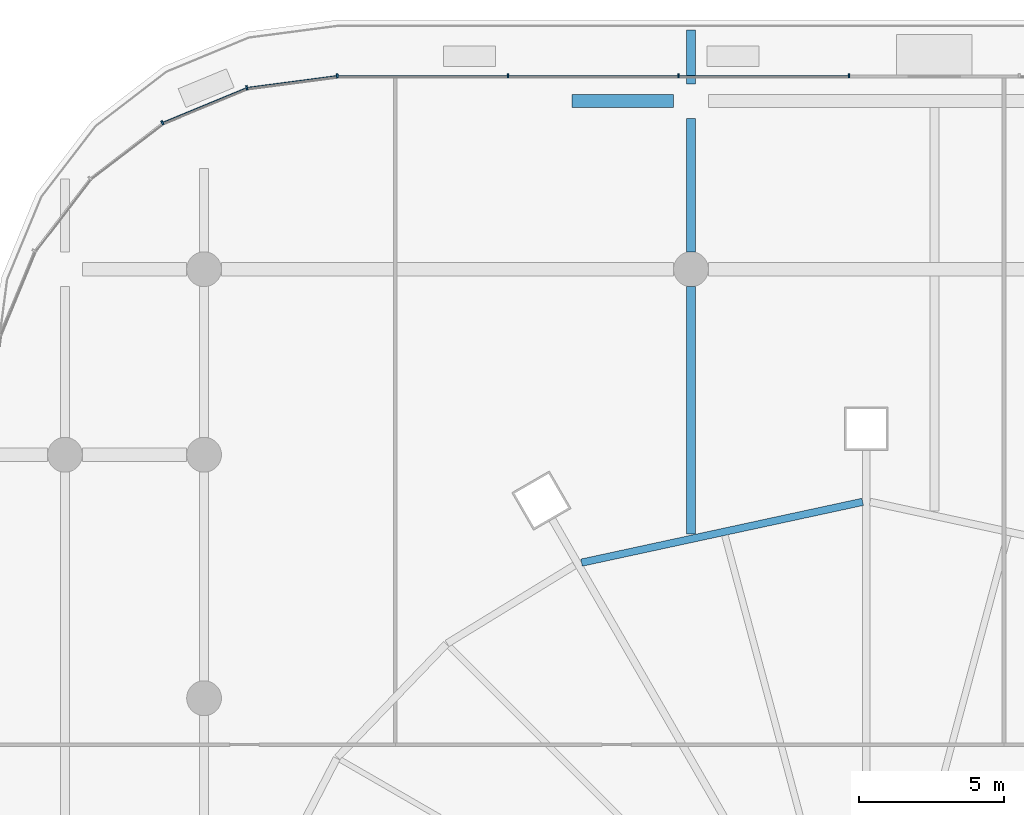
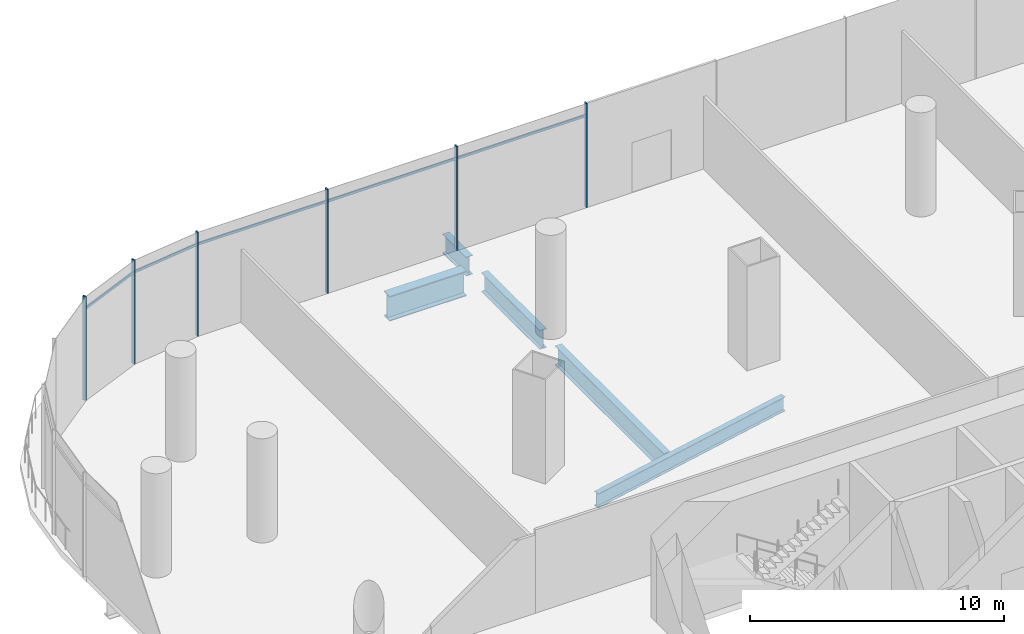
# One storey, part 23 of 51: 11 members, 5 beams, 1 element without a shape of its own.
"""IFC4 building model written with IfcOpenShell, lengths in metres."""

from ifc_helpers import new_model, si_unit, direction, frame, origin, origin_2d, place, context, subcontext, project, spatial, rectangle, i_section, extrude, material, material_profile, profile_set, type_object, element, aggregate, save


model = new_model("IFC4")

# Units and contexts
model_context = context("Model", 3, precision=1e-05, world=origin(), true_north=direction((0.0, 1.0)))
body_context = subcontext(model_context, "Body", "Model", "MODEL_VIEW")
ifc_project = project(units=[si_unit("LENGTHUNIT", "METRE"), si_unit("AREAUNIT", "SQUARE_METRE"), si_unit("VOLUMEUNIT", "CUBIC_METRE"), si_unit("PLANEANGLEUNIT", "RADIAN"), si_unit("MASSUNIT", "GRAM", prefix="KILO")], contexts=[model_context])

# Site, building, storey
site_placement = place(None, origin())
site = spatial("IfcSite", under=ifc_project, at=site_placement, CompositionType="ELEMENT")
building_placement = place(site_placement, origin())
building = spatial("IfcBuilding", under=site, at=building_placement, Name="Rimbun Link Towers", CompositionType="ELEMENT")
storey_placement = place(building_placement, frame((0.0, 0.0, 7.0)))
storey = spatial("IfcBuildingStorey", under=building, at=storey_placement, Name="L01", CompositionType="ELEMENT", Elevation=7.0)

# Curtain wall, members
ifc_material_1 = material(Name="Aluminium 6063-T6 and low-iron glass", Category="aluminium")
curtain_wall_type = type_object("IfcCurtainWallType", Name="CW3 podium shopfront", PredefinedType="NOTDEFINED", material=ifc_material_1)
curtain_wall_placement = place(storey_placement, origin())
curtain_wall = element("IfcCurtainWall", 1, at=curtain_wall_placement, inside=storey, type_object=curtain_wall_type, Name="CW3 L01 PD", PredefinedType="NOTDEFINED")
ifc_material_2 = material(Name="Aluminium 6063-T6", Category="aluminium")
ifc_material_profile_1 = material_profile(ifc_material_2, rectangle(XDim=0.14990234375, YDim=0.06005859375, at=origin_2d()), Name="MULLION 60X150")
ifc_profile_set_1 = profile_set([ifc_material_profile_1], Name="Aluminium 6063-T6")
member_type_1 = type_object("IfcMemberType", Name="CW3 mullion 60X150", PredefinedType="MULLION", material=ifc_profile_set_1)
member_1_placement = place(storey_placement, frame((-32.35302734375, 34.074951171875, 0.0), z_axis=(0.0, 0.0, 1.0), x_axis=(0.0, 1.0, 0.0)))
member_1 = element("IfcMember", 2, at=member_1_placement, type_object=member_type_1, Name="CW3 mullion", PredefinedType="MULLION", context=body_context, shape_type="SweptSolid", body=[
    extrude(rectangle(XDim=0.14990234375, YDim=0.06005859375, at=origin_2d()), origin(), (0.0, 0.0, 1.0), 5.0),
])
member_2_placement = place(storey_placement, frame((-38.2353515625, 34.074951171875, 0.0), z_axis=(0.0, 0.0, 1.0), x_axis=(0.0, 1.0, 0.0)))
member_2 = element("IfcMember", 3, at=member_2_placement, type_object=member_type_1, Name="CW3 mullion", PredefinedType="MULLION", context=body_context, shape_type="SweptSolid", body=[
    extrude(rectangle(XDim=0.14990234375, YDim=0.06005859375, at=origin_2d()), origin(), (0.0, 0.0, 1.0), 5.0),
])
member_3_placement = place(storey_placement, frame((-44.11767578125, 34.074951171875, 0.0), z_axis=(0.0, 0.0, 1.0), x_axis=(0.0, 1.0, 0.0)))
member_3 = element("IfcMember", 4, at=member_3_placement, type_object=member_type_1, Name="CW3 mullion", PredefinedType="MULLION", context=body_context, shape_type="SweptSolid", body=[
    extrude(rectangle(XDim=0.14990234375, YDim=0.06005859375, at=origin_2d()), origin(), (0.0, 0.0, 1.0), 5.0),
])
member_4_placement = place(storey_placement, frame((-50.0048828125, 34.074951171875, 0.0), z_axis=(0.0, 0.0, 1.0), x_axis=(-0.065405288299, 0.997858781723, 0.0)))
member_4 = element("IfcMember", 5, at=member_4_placement, type_object=member_type_1, Name="CW3 mullion", PredefinedType="MULLION", context=body_context, shape_type="SweptSolid", body=[
    extrude(rectangle(XDim=0.14990234375, YDim=0.06005859375, at=origin_2d()), origin(), (0.0, 0.0, 1.0), 5.0),
])
member_5_placement = place(storey_placement, frame((-53.125244140625, 33.66357421875, 0.0), z_axis=(0.0, 0.0, 1.0), x_axis=(-0.258818729038, 0.965925910978, 0.0)))
member_5 = element("IfcMember", 6, at=member_5_placement, type_object=member_type_1, Name="CW3 mullion", PredefinedType="MULLION", context=body_context, shape_type="SweptSolid", body=[
    extrude(rectangle(XDim=0.14990234375, YDim=0.06005859375, at=origin_2d()), origin(), (0.0, 0.0, 1.0), 5.0),
])
member_6_placement = place(storey_placement, frame((-56.03759765625, 32.457275390625, 0.0), z_axis=(0.0, 0.0, 1.0), x_axis=(-0.499993701568, 0.866029040155, 0.0)))
member_6 = element("IfcMember", 7, at=member_6_placement, type_object=member_type_1, Name="CW3 mullion", PredefinedType="MULLION", context=body_context, shape_type="SweptSolid", body=[
    extrude(rectangle(XDim=0.14990234375, YDim=0.06005859375, at=origin_2d()), origin(), (0.0, 0.0, 1.0), 5.0),
])
ifc_material_3 = material(Name="Aluminium 6063-T6", Category="aluminium")
ifc_material_profile_2 = material_profile(ifc_material_3, rectangle(XDim=0.06005859375, YDim=0.1201171875, at=origin_2d()), Name="TRANSOM 60X120")
ifc_profile_set_2 = profile_set([ifc_material_profile_2], Name="Aluminium 6063-T6")
member_type_2 = type_object("IfcMemberType", Name="CW3 transom 60X120", PredefinedType="USERDEFINED", material=ifc_profile_set_2)
member_7_placement = place(storey_placement, frame((-38.205322265625, 34.053955078125, 4.39990234375), z_axis=(1.0, 0.0, 0.0), x_axis=(0.0, 1.0, 0.0)))
member_7 = element("IfcMember", 8, at=member_7_placement, type_object=member_type_2, Name="CW3 transom", ObjectType="TRANSOM", PredefinedType="USERDEFINED", context=body_context, shape_type="SweptSolid", body=[
    extrude(rectangle(XDim=0.06005859375, YDim=0.1201171875, at=origin_2d()), origin(), (0.0, 0.0, 1.0), 5.822265625),
])
member_8_placement = place(storey_placement, frame((-44.087646484375, 34.053955078125, 4.39990234375), z_axis=(1.0, 0.0, 0.0), x_axis=(0.0, 1.0, 0.0)))
member_8 = element("IfcMember", 9, at=member_8_placement, type_object=member_type_2, Name="CW3 transom", ObjectType="TRANSOM", PredefinedType="USERDEFINED", context=body_context, shape_type="SweptSolid", body=[
    extrude(rectangle(XDim=0.06005859375, YDim=0.1201171875, at=origin_2d()), origin(), (0.0, 0.0, 1.0), 5.822265625),
])
member_9_placement = place(storey_placement, frame((-49.969970703125, 34.053955078125, 4.39990234375), z_axis=(1.0, 0.0, 0.0), x_axis=(0.0, 1.0, 0.0)))
member_9 = element("IfcMember", 10, at=member_9_placement, type_object=member_type_2, Name="CW3 transom", ObjectType="TRANSOM", PredefinedType="USERDEFINED", context=body_context, shape_type="SweptSolid", body=[
    extrude(rectangle(XDim=0.06005859375, YDim=0.1201171875, at=origin_2d()), origin(), (0.0, 0.0, 1.0), 5.822265625),
])
member_10_placement = place(storey_placement, frame((-53.0830078125, 33.6484375, 4.39990234375), z_axis=(0.991441037829, 0.130555231638, 0.0), x_axis=(-0.130555231638, 0.991441037829, 0.0)))
member_10 = element("IfcMember", 11, at=member_10_placement, type_object=member_type_2, Name="CW3 transom", ObjectType="TRANSOM", PredefinedType="USERDEFINED", context=body_context, shape_type="SweptSolid", body=[
    extrude(rectangle(XDim=0.06005859375, YDim=0.1201171875, at=origin_2d()), origin(), (0.0, 0.0, 1.0), 3.072509765625),
])
member_11_placement = place(storey_placement, frame((-55.992919921875, 32.45361328125, 4.39990234375), z_axis=(0.923881248716, 0.382679289053, 0.0), x_axis=(-0.382679289053, 0.923881248716, 0.0)))
member_11 = element("IfcMember", 12, at=member_11_placement, type_object=member_type_2, Name="CW3 transom", ObjectType="TRANSOM", PredefinedType="USERDEFINED", context=body_context, shape_type="SweptSolid", body=[
    extrude(rectangle(XDim=0.06005859375, YDim=0.1201171875, at=origin_2d()), origin(), (0.0, 0.0, 1.0), 3.072509765625),
])
aggregate(curtain_wall, [member_1, member_2, member_3, member_4, member_5, member_6, member_7, member_8, member_9, member_10, member_11])

# Beams
ifc_material_4 = material(Name="Steel S355J2", Category="steel")
ifc_material_profile_3 = material_profile(ifc_material_4, i_section(OverallWidth=0.449951171875, OverallDepth=1.199951171875, WebThickness=0.030029296875, FlangeThickness=0.044921875, at=origin_2d()), Name="PG 1200x450x30/45")
ifc_profile_set_3 = profile_set([ifc_material_profile_3], Name="Steel S355J2")
beam_type_1 = type_object("IfcBeamType", Name="PG 1200x450x30/45", PredefinedType="BEAM", material=ifc_profile_set_3)
beam_1_placement = place(storey_placement, frame((-41.89990234375, 33.199951171875, -0.89990234375), z_axis=(1.0, 0.0, 0.0), x_axis=(0.0, 1.0, 0.0)))
element("IfcBeam", 13, at=beam_1_placement, inside=storey, type_object=beam_type_1, Name="Grid beam L01 +33.2", PredefinedType="BEAM", context=body_context, shape_type="SweptSolid", body=[
    extrude(i_section(OverallWidth=0.449951171875, OverallDepth=1.199951171875, WebThickness=0.030029296875, FlangeThickness=0.044921875, at=origin_2d()), origin(), (0.0, 0.0, 1.0), 3.5),
])
ifc_material_5 = material(Name="Steel S355J2", Category="steel")
ifc_material_profile_4 = material_profile(ifc_material_5, i_section(OverallWidth=0.253662109375, OverallDepth=0.68359375, WebThickness=0.012451171875, FlangeThickness=0.01904296875, at=origin_2d()), Name="UB 686x254x140")
ifc_profile_set_4 = profile_set([ifc_material_profile_4], Name="Steel S355J2")
beam_type_2 = type_object("IfcBeamType", Name="UB 686x254x140", PredefinedType="BEAM", material=ifc_profile_set_4)
beam_2_placement = place(storey_placement, frame((-31.877685546875, 19.375244140625, -0.641845703125), z_axis=(-0.977390124833, -0.211443949734, 0.0), x_axis=(0.211443949734, -0.977390124833, 0.0)))
element("IfcBeam", 14, at=beam_2_placement, inside=storey, type_object=beam_type_2, Name="Edge beam T1 L01 06-08", PredefinedType="BEAM", context=body_context, shape_type="SweptSolid", body=[
    extrude(i_section(OverallWidth=0.253662109375, OverallDepth=0.68359375, WebThickness=0.012451171875, FlangeThickness=0.01904296875, at=origin_2d()), origin(), (0.0, 0.0, 1.0), 9.924072265625),
])
ifc_material_6 = material(Name="Steel S355J2", Category="steel")
ifc_material_profile_5 = material_profile(ifc_material_6, i_section(OverallWidth=0.305419921875, OverallDepth=0.91845703125, WebThickness=0.017333984375, FlangeThickness=0.02783203125, at=origin_2d()), Name="UB 914x305x253")
ifc_profile_set_5 = profile_set([ifc_material_profile_5], Name="Steel S355J2")
beam_type_3 = type_object("IfcBeamType", Name="UB 914x305x253", PredefinedType="BEAM", material=ifc_profile_set_5)
beam_3_placement = place(storey_placement, frame((-37.800048828125, 18.2578125, -0.75927734375), z_axis=(0.0, 1.0, 0.0), x_axis=(-1.0, 0.0, 0.0)))
element("IfcBeam", 15, at=beam_3_placement, inside=storey, type_object=beam_type_3, Name="Grid beam L01 -37.8", PredefinedType="BEAM", context=body_context, shape_type="SweptSolid", body=[
    extrude(i_section(OverallWidth=0.305419921875, OverallDepth=0.91845703125, WebThickness=0.017333984375, FlangeThickness=0.02783203125, at=origin_2d()), origin(), (0.0, 0.0, 1.0), 8.542236328125),
])
beam_4_placement = place(storey_placement, frame((-37.800048828125, 28.0, -0.75927734375), z_axis=(0.0, 1.0, 0.0), x_axis=(-1.0, 0.0, 0.0)))
element("IfcBeam", 16, at=beam_4_placement, inside=storey, type_object=beam_type_3, Name="Grid beam L01 -37.8", PredefinedType="BEAM", context=body_context, shape_type="SweptSolid", body=[
    extrude(i_section(OverallWidth=0.305419921875, OverallDepth=0.91845703125, WebThickness=0.017333984375, FlangeThickness=0.02783203125, at=origin_2d()), origin(), (0.0, 0.0, 1.0), 4.60009765625),
])
beam_5_placement = place(storey_placement, frame((-37.800048828125, 33.800048828125, -0.75927734375), z_axis=(0.0, 1.0, 0.0), x_axis=(-1.0, 0.0, 0.0)))
element("IfcBeam", 17, at=beam_5_placement, inside=storey, type_object=beam_type_3, Name="Grid beam L01 -37.8", PredefinedType="BEAM", context=body_context, shape_type="SweptSolid", body=[
    extrude(i_section(OverallWidth=0.305419921875, OverallDepth=0.91845703125, WebThickness=0.017333984375, FlangeThickness=0.02783203125, at=origin_2d()), origin(), (0.0, 0.0, 1.0), 1.84912109375),
])

save(model, "model.ifc")
